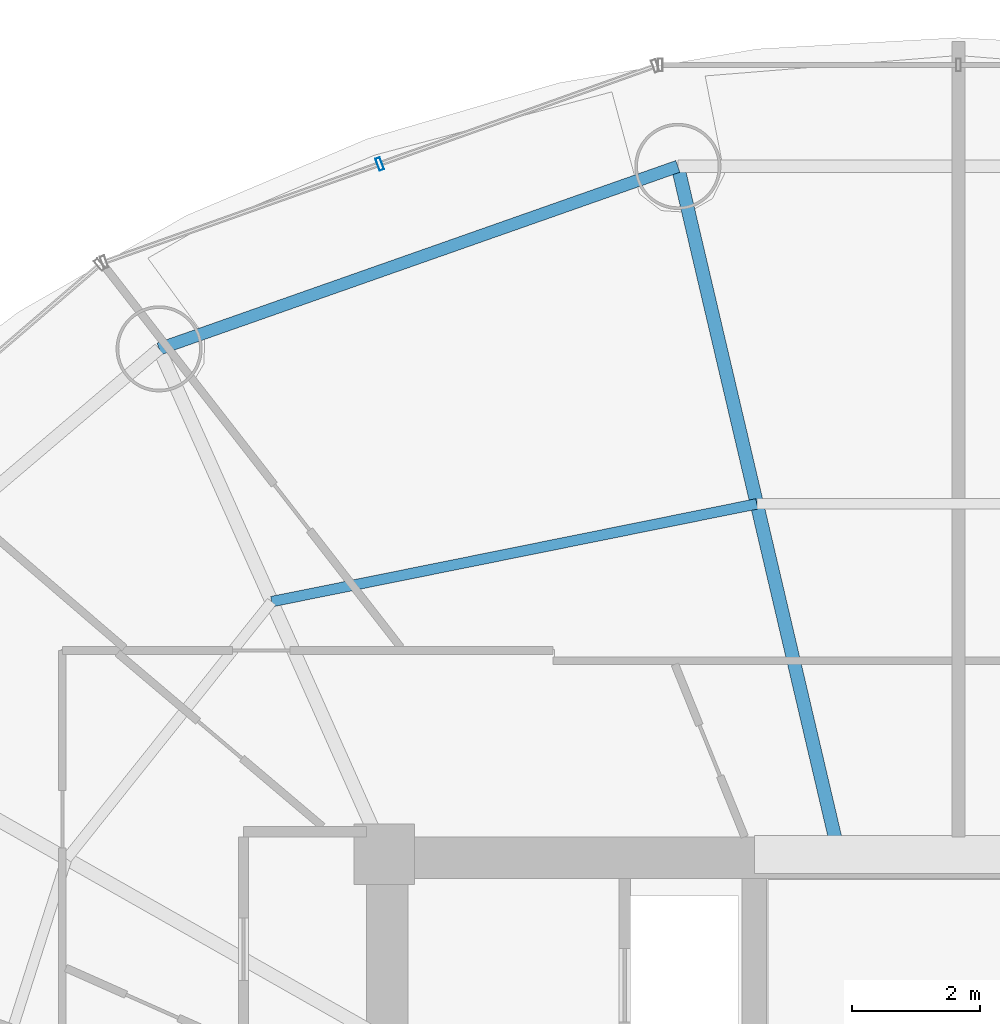
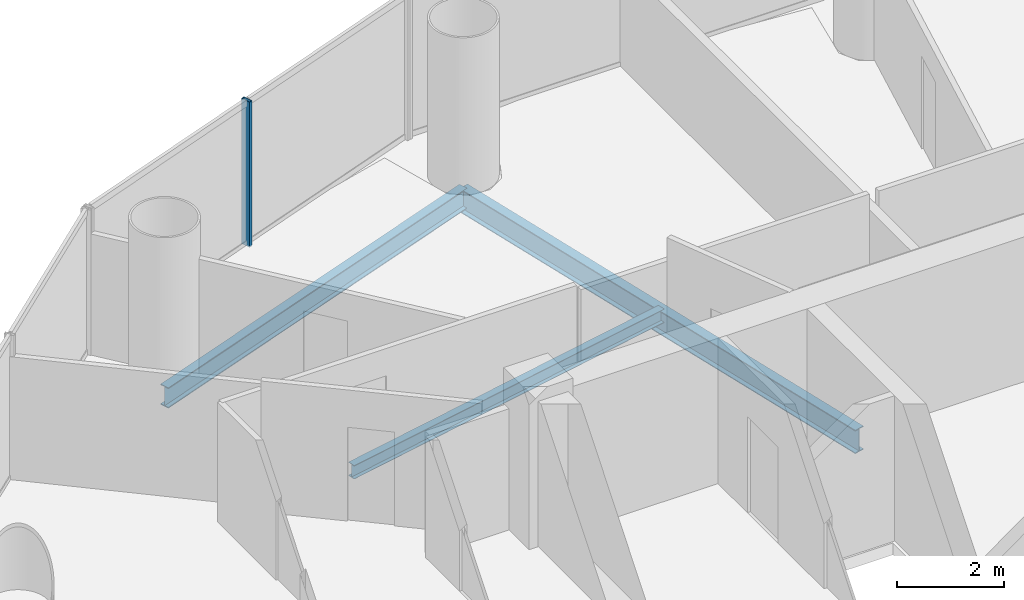
# One storey, part 15 of 27: 3 beams, 1 member, 1 element without a shape of its own.
"""IFC4 building model written with IfcOpenShell, lengths in metres."""

from ifc_helpers import new_model, si_unit, direction, frame, origin, origin_2d, place, context, subcontext, project, spatial, hollow_rectangle, i_section, extrude, source, transform, mapped, material, material_profile, profile_set, type_object, element, aggregate, save


model = new_model("IFC4")

# Units and contexts
model_context = context("Model", 3, precision=1e-05, world=origin(), true_north=direction((-0.2419218956, 0.970295726276)))
body_context = subcontext(model_context, "Body", "Model", "MODEL_VIEW")
ifc_project = project(units=[si_unit("LENGTHUNIT", "METRE"), si_unit("AREAUNIT", "SQUARE_METRE"), si_unit("VOLUMEUNIT", "CUBIC_METRE"), si_unit("PLANEANGLEUNIT", "RADIAN"), si_unit("MASSUNIT", "GRAM", prefix="KILO")], contexts=[model_context])

# Site, building, storey
site_placement = place(None, origin())
site = spatial("IfcSite", under=ifc_project, at=site_placement, CompositionType="ELEMENT")
building_placement = place(site_placement, origin())
building = spatial("IfcBuilding", under=site, at=building_placement, Name="Cobrevalo Terracotta Tower", CompositionType="ELEMENT")
storey_placement = place(building_placement, frame((0.0, 0.0, 157.0)))
storey = spatial("IfcBuildingStorey", under=building, at=storey_placement, Name="L41", CompositionType="ELEMENT", Elevation=157.0)

# Beams
ifc_material_1 = material(Name="Steel S355", Category="steel")
ifc_material_profile_1 = material_profile(ifc_material_1, i_section(OverallWidth=0.2109375, OverallDepth=0.5390625, WebThickness=0.01171875, FlangeThickness=0.018798828125, at=origin_2d()), Name="W 530x109")
ifc_profile_set_1 = profile_set([ifc_material_profile_1], Name="Steel S355")
beam_type_1 = type_object("IfcBeamType", Name="Structural Beam W 530x109 (Steel S355)", PredefinedType="BEAM", material=ifc_profile_set_1)
beam_1_placement = place(storey_placement, frame((33.600830078125, 45.58203125, -0.53955078125), z_axis=(0.228040864186, -0.973651562039, 0.0), x_axis=(0.973651562039, 0.228040864186, 0.0)))
element("IfcBeam", 1, at=beam_1_placement, inside=storey, type_object=beam_type_1, Name="L41 radial floor girder 05", PredefinedType="BEAM", context=body_context, shape_type="SweptSolid", body=[
    extrude(i_section(OverallWidth=0.2109375, OverallDepth=0.5390625, WebThickness=0.01171875, FlangeThickness=0.018798828125, at=origin_2d()), origin(), (0.0, 0.0, 1.0), 10.86328125),
])
ifc_material_profile_2 = material_profile(ifc_material_1, i_section(OverallWidth=0.1650390625, OverallDepth=0.31005859375, WebThickness=0.005859375, FlangeThickness=0.009765625, at=origin_2d()), Name="W 310x38.7")
ifc_profile_set_2 = profile_set([ifc_material_profile_2], Name="Steel S355")
beam_type_2 = type_object("IfcBeamType", Name="Structural Joist W 310x38.7 (Steel S355)", PredefinedType="JOIST", material=ifc_profile_set_2)
beam_2_placement = place(storey_placement, frame((34.83935546875, 40.29345703125, -0.425048828125), z_axis=(-0.980293928329, -0.197544461026, 0.0), x_axis=(0.197544461026, -0.980293928329, 0.0)))
element("IfcBeam", 2, at=beam_2_placement, inside=storey, type_object=beam_type_2, Name="L41 circumferential secondary floor joist 05", PredefinedType="JOIST", context=body_context, shape_type="SweptSolid", body=[
    extrude(i_section(OverallWidth=0.1650390625, OverallDepth=0.31005859375, WebThickness=0.005859375, FlangeThickness=0.009765625, at=origin_2d()), origin(), (0.0, 0.0, 1.0), 7.75634765625),
])
ifc_material_profile_3 = material_profile(ifc_material_1, i_section(OverallWidth=0.194091796875, OverallDepth=0.468994140625, WebThickness=0.011474609375, FlangeThickness=0.0205078125, at=origin_2d()), Name="W 460x106")
ifc_profile_set_3 = profile_set([ifc_material_profile_3], Name="Steel S355")
beam_type_3 = type_object("IfcBeamType", Name="Structural Spandrel W 460x106 (Steel S355)", PredefinedType="SPANDREL", material=ifc_profile_set_3)
beam_3_placement = place(storey_placement, frame((33.600830078125, 45.58203125, -0.50439453125), z_axis=(-0.943341298492, -0.331824041565, 0.0), x_axis=(0.331824041565, -0.943341298492, 0.0)))
element("IfcBeam", 3, at=beam_3_placement, inside=storey, type_object=beam_type_3, Name="L41 perimeter ring spandrel 05", PredefinedType="SPANDREL", context=body_context, shape_type="SweptSolid", body=[
    extrude(i_section(OverallWidth=0.194091796875, OverallDepth=0.468994140625, WebThickness=0.011474609375, FlangeThickness=0.0205078125, at=origin_2d()), origin(), (0.0, 0.0, 1.0), 8.6171875),
])

# Curtain wall, member
ifc_material_2 = material(Name="Anodized aluminium", Category="aluminium")
curtain_wall_type = type_object("IfcCurtainWallType", Name="Mid-tower high-wind unitised curtain wall CW-U2", PredefinedType="NOTDEFINED", material=ifc_material_2)
curtain_wall_placement = place(storey_placement, origin())
curtain_wall = element("IfcCurtainWall", 4, at=curtain_wall_placement, inside=storey, type_object=curtain_wall_type, Name="L41 curtain wall CW-L41-S05", PredefinedType="NOTDEFINED")
ifc_material_profile_4 = material_profile(ifc_material_2, hollow_rectangle(XDim=0.074951171875, YDim=0.199951171875, WallThickness=0.0048828125, at=origin_2d()), Name="CWM 75x200")
ifc_profile_set_4 = profile_set([ifc_material_profile_4], Name="Anodized aluminium")
member_type = type_object("IfcMemberType", Name="Lower/mid tower unitised mullion 75x200", PredefinedType="MULLION", material=ifc_profile_set_4)
shared_shape = source(origin(), body_context, "Body", "SweptSolid", [
    extrude(hollow_rectangle(XDim=0.074951171875, YDim=0.199951171875, WallThickness=0.0048828125, at=origin_2d()), origin(), (0.0, 0.0, 1.0), 3.330078125),
])
member_placement = place(storey_placement, frame((28.92822265625, 45.620361328125, 0.0), z_axis=(0.0, 0.0, 1.0), x_axis=(-0.942098428897, -0.335336473217, 0.0)))
member = element("IfcMember", 5, at=member_placement, type_object=member_type, Name="CW-L41-S05 vertical mullion 02", PredefinedType="MULLION", context=body_context, shape_type="MappedRepresentation", body=[
    mapped(shared_shape, transform((0.0, 0.0, 0.0), scale=1.0)),
])
aggregate(curtain_wall, [member])

save(model, "model.ifc")
